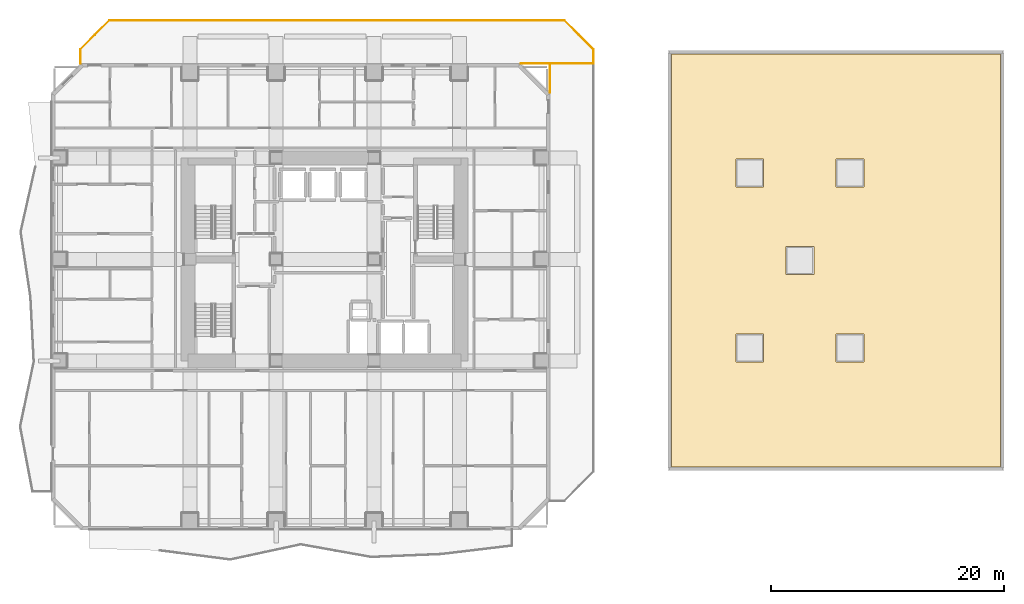
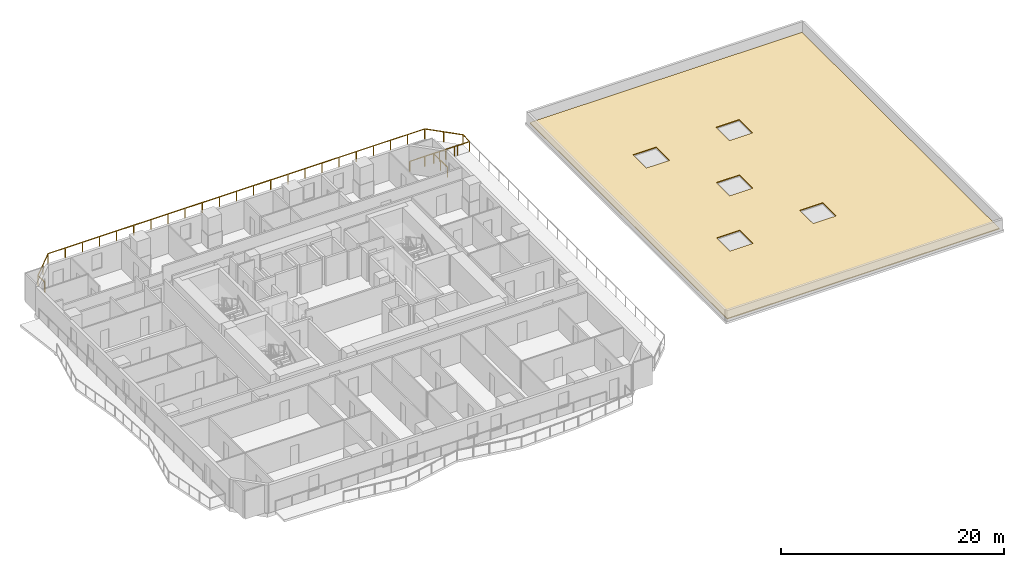
# One storey, part 13 of 13: 8 railings, 1 covering.
"""IFC4 building model written with IfcOpenShell, lengths in metres."""

from ifc_helpers import new_model, si_unit, direction, frame, origin, origin_2d, place, context, subcontext, project, spatial, polyline, rectangle, outline, extrude, material, layer, layer_set, type_object, element, save


model = new_model("IFC4")

# Units and contexts
model_context = context("Model", 3, precision=1e-05, world=origin(), true_north=direction((0.0, 1.0)))
body_context = subcontext(model_context, "Body", "Model", "MODEL_VIEW")
ifc_project = project(units=[si_unit("LENGTHUNIT", "METRE"), si_unit("AREAUNIT", "SQUARE_METRE"), si_unit("VOLUMEUNIT", "CUBIC_METRE"), si_unit("PLANEANGLEUNIT", "RADIAN"), si_unit("MASSUNIT", "GRAM", prefix="KILO")], contexts=[model_context])

# Site, building, storey
site_placement = place(None, origin())
site = spatial("IfcSite", under=ifc_project, at=site_placement, CompositionType="ELEMENT")
building_placement = place(site_placement, origin())
building = spatial("IfcBuilding", under=site, at=building_placement, Name="Solanera Arch Residences", CompositionType="ELEMENT")
storey_placement = place(building_placement, frame((0.0, 0.0, 22.0)))
storey = spatial("IfcBuildingStorey", under=building, at=storey_placement, Name="L05", CompositionType="ELEMENT", Elevation=22.0)

# Railings
ifc_material_1 = material(Name="Steel S355 (ASTM A992 / A572 Grade 50)", Category="steel")
railing_type = type_object("IfcRailingType", Name="Balustrade Railing BL-1100", PredefinedType="BALUSTRADE", material=ifc_material_1)
railing_1_placement = place(storey_placement, frame((4.0, 48.699951171875, 0.0)))
element("IfcRailing", 1, at=railing_1_placement, inside=storey, type_object=railing_type, Name="L05 Sky Terrace Guardrail 1", PredefinedType="BALUSTRADE", context=body_context, shape_type="SweptSolid", body=[
    extrude(rectangle(XDim=0.048095703125, YDim=0.048095703125, at=origin_2d()), frame((0.0, 0.0, 1.09619140625), z_axis=(0.0, -1.0, 0.0), x_axis=(1.0, 0.0, 0.0)), (0.0, 0.0, 1.0), 1.219970703125),
    extrude(rectangle(XDim=0.0419921875, YDim=0.0419921875, at=origin_2d()), origin(), (0.0, 0.0, 1.0), 1.072021484375),
    extrude(rectangle(XDim=0.0419921875, YDim=0.0419921875, at=origin_2d()), frame((0.0, -1.219970703125, 0.0)), (0.0, 0.0, 1.0), 1.072021484375),
])
railing_2_placement = place(storey_placement, frame((41.7919921875, 47.47998046875, 0.0)))
element("IfcRailing", 2, at=railing_2_placement, inside=storey, type_object=railing_type, Name="L05 Sky Terrace Guardrail 1", PredefinedType="BALUSTRADE", context=body_context, shape_type="SweptSolid", body=[
    extrude(rectangle(XDim=0.048095703125, YDim=0.048095703125, at=origin_2d()), frame((0.0, 0.0, 1.09619140625), z_axis=(1.0, 0.0, 0.0), x_axis=(0.0, 1.0, 0.0)), (0.0, 0.0, 1.0), 6.2080078125),
    extrude(rectangle(XDim=0.0419921875, YDim=0.0419921875, at=origin_2d()), origin(), (0.0, 0.0, 1.0), 1.072021484375),
    extrude(rectangle(XDim=0.0419921875, YDim=0.0419921875, at=origin_2d()), frame((1.552001953125, 0.0, 0.0)), (0.0, 0.0, 1.0), 1.072021484375),
    extrude(rectangle(XDim=0.0419921875, YDim=0.0419921875, at=origin_2d()), frame((3.10400390625, 0.0, 0.0)), (0.0, 0.0, 1.0), 1.072021484375),
    extrude(rectangle(XDim=0.0419921875, YDim=0.0419921875, at=origin_2d()), frame((4.656005859375, 0.0, 0.0)), (0.0, 0.0, 1.0), 1.072021484375),
    extrude(rectangle(XDim=0.0419921875, YDim=0.0419921875, at=origin_2d()), frame((6.2080078125, 0.0, 0.0)), (0.0, 0.0, 1.0), 1.072021484375),
])
railing_3_placement = place(storey_placement, frame((48.0, 47.47998046875, 0.0)))
element("IfcRailing", 3, at=railing_3_placement, inside=storey, type_object=railing_type, Name="L05 Sky Terrace Guardrail 1", PredefinedType="BALUSTRADE", context=body_context, shape_type="SweptSolid", body=[
    extrude(rectangle(XDim=0.048095703125, YDim=0.048095703125, at=origin_2d()), frame((0.0, 0.0, 1.09619140625), z_axis=(0.0, 1.0, 0.0), x_axis=(-1.0, 0.0, 0.0)), (0.0, 0.0, 1.0), 1.219970703125),
    extrude(rectangle(XDim=0.0419921875, YDim=0.0419921875, at=origin_2d()), origin(), (0.0, 0.0, 1.0), 1.072021484375),
    extrude(rectangle(XDim=0.0419921875, YDim=0.0419921875, at=origin_2d()), frame((0.0, 1.219970703125, 0.0)), (0.0, 0.0, 1.0), 1.072021484375),
])
railing_4_placement = place(storey_placement, frame((48.0, 48.699951171875, 0.0)))
element("IfcRailing", 4, at=railing_4_placement, inside=storey, type_object=railing_type, Name="L05 Sky Terrace Guardrail 1", PredefinedType="BALUSTRADE", context=body_context, shape_type="SweptSolid", body=[
    extrude(rectangle(XDim=0.048095703125, YDim=0.048095703125, at=origin_2d()), frame((0.0, 0.0, 1.09619140625), z_axis=(-0.707106781187, 0.707106781187, 0.0), x_axis=(-0.707106781187, -0.707106781187, 0.0)), (0.0, 0.0, 1.0), 3.53564453125),
    extrude(rectangle(XDim=0.0419921875, YDim=0.0419921875, at=origin_2d()), origin(), (0.0, 0.0, 1.0), 1.072021484375),
    extrude(rectangle(XDim=0.0419921875, YDim=0.0419921875, at=origin_2d()), frame((-1.25, 1.25, 0.0)), (0.0, 0.0, 1.0), 1.072021484375),
    extrude(rectangle(XDim=0.0419921875, YDim=0.0419921875, at=origin_2d()), frame((-2.5, 2.5, 0.0)), (0.0, 0.0, 1.0), 1.072021484375),
])
railing_5_placement = place(storey_placement, frame((45.5, 51.199951171875, 0.0)))
element("IfcRailing", 5, at=railing_5_placement, inside=storey, type_object=railing_type, Name="L05 Sky Terrace Guardrail 1", PredefinedType="BALUSTRADE", context=body_context, shape_type="SweptSolid", body=[
    extrude(rectangle(XDim=0.048095703125, YDim=0.048095703125, at=origin_2d()), frame((0.0, 0.0, 1.09619140625), z_axis=(-1.0, 0.0, 0.0), x_axis=(0.0, -1.0, 0.0)), (0.0, 0.0, 1.0), 39.0),
    extrude(rectangle(XDim=0.0419921875, YDim=0.0419921875, at=origin_2d()), origin(), (0.0, 0.0, 1.0), 1.072021484375),
    extrude(rectangle(XDim=0.0419921875, YDim=0.0419921875, at=origin_2d()), frame((-1.772705078125, 0.0, 0.0)), (0.0, 0.0, 1.0), 1.072021484375),
    extrude(rectangle(XDim=0.0419921875, YDim=0.0419921875, at=origin_2d()), frame((-3.54541015625, 0.0, 0.0)), (0.0, 0.0, 1.0), 1.072021484375),
    extrude(rectangle(XDim=0.0419921875, YDim=0.0419921875, at=origin_2d()), frame((-5.318115234375, 0.0, 0.0)), (0.0, 0.0, 1.0), 1.072021484375),
    extrude(rectangle(XDim=0.0419921875, YDim=0.0419921875, at=origin_2d()), frame((-7.0908203125, 0.0, 0.0)), (0.0, 0.0, 1.0), 1.072021484375),
    extrude(rectangle(XDim=0.0419921875, YDim=0.0419921875, at=origin_2d()), frame((-8.863525390625, 0.0, 0.0)), (0.0, 0.0, 1.0), 1.072021484375),
    extrude(rectangle(XDim=0.0419921875, YDim=0.0419921875, at=origin_2d()), frame((-10.636474609375, 0.0, 0.0)), (0.0, 0.0, 1.0), 1.072021484375),
    extrude(rectangle(XDim=0.0419921875, YDim=0.0419921875, at=origin_2d()), frame((-12.4091796875, 0.0, 0.0)), (0.0, 0.0, 1.0), 1.072021484375),
    extrude(rectangle(XDim=0.0419921875, YDim=0.0419921875, at=origin_2d()), frame((-14.181884765625, 0.0, 0.0)), (0.0, 0.0, 1.0), 1.072021484375),
    extrude(rectangle(XDim=0.0419921875, YDim=0.0419921875, at=origin_2d()), frame((-15.95458984375, 0.0, 0.0)), (0.0, 0.0, 1.0), 1.072021484375),
    extrude(rectangle(XDim=0.0419921875, YDim=0.0419921875, at=origin_2d()), frame((-17.727294921875, 0.0, 0.0)), (0.0, 0.0, 1.0), 1.072021484375),
    extrude(rectangle(XDim=0.0419921875, YDim=0.0419921875, at=origin_2d()), frame((-19.5, 0.0, 0.0)), (0.0, 0.0, 1.0), 1.072021484375),
    extrude(rectangle(XDim=0.0419921875, YDim=0.0419921875, at=origin_2d()), frame((-21.272705078125, 0.0, 0.0)), (0.0, 0.0, 1.0), 1.072021484375),
    extrude(rectangle(XDim=0.0419921875, YDim=0.0419921875, at=origin_2d()), frame((-23.04541015625, 0.0, 0.0)), (0.0, 0.0, 1.0), 1.072021484375),
    extrude(rectangle(XDim=0.0419921875, YDim=0.0419921875, at=origin_2d()), frame((-24.818115234375, 0.0, 0.0)), (0.0, 0.0, 1.0), 1.072021484375),
    extrude(rectangle(XDim=0.0419921875, YDim=0.0419921875, at=origin_2d()), frame((-26.5908203125, 0.0, 0.0)), (0.0, 0.0, 1.0), 1.072021484375),
    extrude(rectangle(XDim=0.0419921875, YDim=0.0419921875, at=origin_2d()), frame((-28.363525390625, 0.0, 0.0)), (0.0, 0.0, 1.0), 1.072021484375),
    extrude(rectangle(XDim=0.0419921875, YDim=0.0419921875, at=origin_2d()), frame((-30.136474609375, 0.0, 0.0)), (0.0, 0.0, 1.0), 1.072021484375),
    extrude(rectangle(XDim=0.0419921875, YDim=0.0419921875, at=origin_2d()), frame((-31.9091796875, 0.0, 0.0)), (0.0, 0.0, 1.0), 1.072021484375),
    extrude(rectangle(XDim=0.0419921875, YDim=0.0419921875, at=origin_2d()), frame((-33.681884765625, 0.0, 0.0)), (0.0, 0.0, 1.0), 1.072021484375),
    extrude(rectangle(XDim=0.0419921875, YDim=0.0419921875, at=origin_2d()), frame((-35.45458984375, 0.0, 0.0)), (0.0, 0.0, 1.0), 1.072021484375),
    extrude(rectangle(XDim=0.0419921875, YDim=0.0419921875, at=origin_2d()), frame((-37.227294921875, 0.0, 0.0)), (0.0, 0.0, 1.0), 1.072021484375),
    extrude(rectangle(XDim=0.0419921875, YDim=0.0419921875, at=origin_2d()), frame((-39.0, 0.0, 0.0)), (0.0, 0.0, 1.0), 1.072021484375),
])
railing_6_placement = place(storey_placement, frame((6.5, 51.199951171875, 0.0)))
element("IfcRailing", 6, at=railing_6_placement, inside=storey, type_object=railing_type, Name="L05 Sky Terrace Guardrail 1", PredefinedType="BALUSTRADE", context=body_context, shape_type="SweptSolid", body=[
    extrude(rectangle(XDim=0.048095703125, YDim=0.048095703125, at=origin_2d()), frame((0.0, 0.0, 1.09619140625), z_axis=(-0.707106781187, -0.707106781187, 0.0), x_axis=(0.707106781187, -0.707106781187, 0.0)), (0.0, 0.0, 1.0), 3.53564453125),
    extrude(rectangle(XDim=0.0419921875, YDim=0.0419921875, at=origin_2d()), origin(), (0.0, 0.0, 1.0), 1.072021484375),
    extrude(rectangle(XDim=0.0419921875, YDim=0.0419921875, at=origin_2d()), frame((-1.25, -1.25, 0.0)), (0.0, 0.0, 1.0), 1.072021484375),
    extrude(rectangle(XDim=0.0419921875, YDim=0.0419921875, at=origin_2d()), frame((-2.5, -2.5, 0.0)), (0.0, 0.0, 1.0), 1.072021484375),
])
railing_7_placement = place(storey_placement, frame((48.0, 47.47998046875, 0.0)))
element("IfcRailing", 7, at=railing_7_placement, inside=storey, type_object=railing_type, Name="L05 Sky Terrace Guardrail 1", PredefinedType="BALUSTRADE", context=body_context, shape_type="SweptSolid", body=[
    extrude(rectangle(XDim=0.048095703125, YDim=0.048095703125, at=origin_2d()), frame((0.0, 0.0, 1.09619140625), z_axis=(-1.0, 0.0, 0.0), x_axis=(0.0, -1.0, 0.0)), (0.0, 0.0, 1.0), 3.719970703125),
    extrude(rectangle(XDim=0.0419921875, YDim=0.0419921875, at=origin_2d()), origin(), (0.0, 0.0, 1.0), 1.072021484375),
    extrude(rectangle(XDim=0.0419921875, YDim=0.0419921875, at=origin_2d()), frame((-1.239990234375, 0.0, 0.0)), (0.0, 0.0, 1.0), 1.072021484375),
    extrude(rectangle(XDim=0.0419921875, YDim=0.0419921875, at=origin_2d()), frame((-2.47998046875, 0.0, 0.0)), (0.0, 0.0, 1.0), 1.072021484375),
    extrude(rectangle(XDim=0.0419921875, YDim=0.0419921875, at=origin_2d()), frame((-3.719970703125, 0.0, 0.0)), (0.0, 0.0, 1.0), 1.072021484375),
])
railing_8_placement = place(storey_placement, frame((44.280029296875, 47.47998046875, 0.0)))
element("IfcRailing", 8, at=railing_8_placement, inside=storey, type_object=railing_type, Name="L05 Sky Terrace Guardrail 1", PredefinedType="BALUSTRADE", context=body_context, shape_type="SweptSolid", body=[
    extrude(rectangle(XDim=0.048095703125, YDim=0.048095703125, at=origin_2d()), frame((0.0, 0.0, 1.09619140625), z_axis=(0.0, -1.0, 0.0), x_axis=(1.0, 0.0, 0.0)), (0.0, 0.0, 1.0), 2.488037109375),
    extrude(rectangle(XDim=0.0419921875, YDim=0.0419921875, at=origin_2d()), origin(), (0.0, 0.0, 1.0), 1.072021484375),
    extrude(rectangle(XDim=0.0419921875, YDim=0.0419921875, at=origin_2d()), frame((0.0, -1.244140625, 0.0)), (0.0, 0.0, 1.0), 1.072021484375),
    extrude(rectangle(XDim=0.0419921875, YDim=0.0419921875, at=origin_2d()), frame((0.0, -2.488037109375, 0.0)), (0.0, 0.0, 1.0), 1.072021484375),
])

# Covering
ifc_material_2 = material(Name="TPO Insulated Waterproofing Membrane", Category="membrane")
ifc_layer = layer(ifc_material_2, 0.10009765625)
ifc_layer_set = layer_set([ifc_layer], Name="TPO Insulated Waterproofing Membrane")
covering_type = type_object("IfcCoveringType", Name="Insulated Roof Membrane RFG-100", PredefinedType="ROOFING", material=ifc_layer_set)
covering_placement = place(storey_placement, frame((0.0, 0.0, 0.239990234375)))
element("IfcCovering", 9, at=covering_placement, inside=storey, type_object=covering_type, Name="Sports Hall TPO Insulated Roof Membrane", PredefinedType="ROOFING", context=body_context, shape_type="SweptSolid", body=[
    extrude(outline(polyline([(54.699951171875, 12.89990234375), (82.89990234375, 12.89990234375), (82.89990234375, 48.300048828125), (54.699951171875, 48.300048828125), (54.699951171875, 12.89990234375)]), holes=[polyline([(60.199951171875, 21.89990234375), (62.60009765625, 21.89990234375), (62.60009765625, 24.300048828125), (60.199951171875, 24.300048828125), (60.199951171875, 21.89990234375)]), polyline([(68.800048828125, 21.89990234375), (71.199951171875, 21.89990234375), (71.199951171875, 24.300048828125), (68.800048828125, 24.300048828125), (68.800048828125, 21.89990234375)]), polyline([(64.5, 29.39990234375), (66.89990234375, 29.39990234375), (66.89990234375, 31.800048828125), (64.5, 31.800048828125), (64.5, 29.39990234375)]), polyline([(60.199951171875, 36.89990234375), (62.60009765625, 36.89990234375), (62.60009765625, 39.300048828125), (60.199951171875, 39.300048828125), (60.199951171875, 36.89990234375)]), polyline([(68.800048828125, 36.89990234375), (71.199951171875, 36.89990234375), (71.199951171875, 39.300048828125), (68.800048828125, 39.300048828125), (68.800048828125, 36.89990234375)])]), origin(), (0.0, 0.0, 1.0), 0.10009765625),
])

save(model, "model.ifc")
